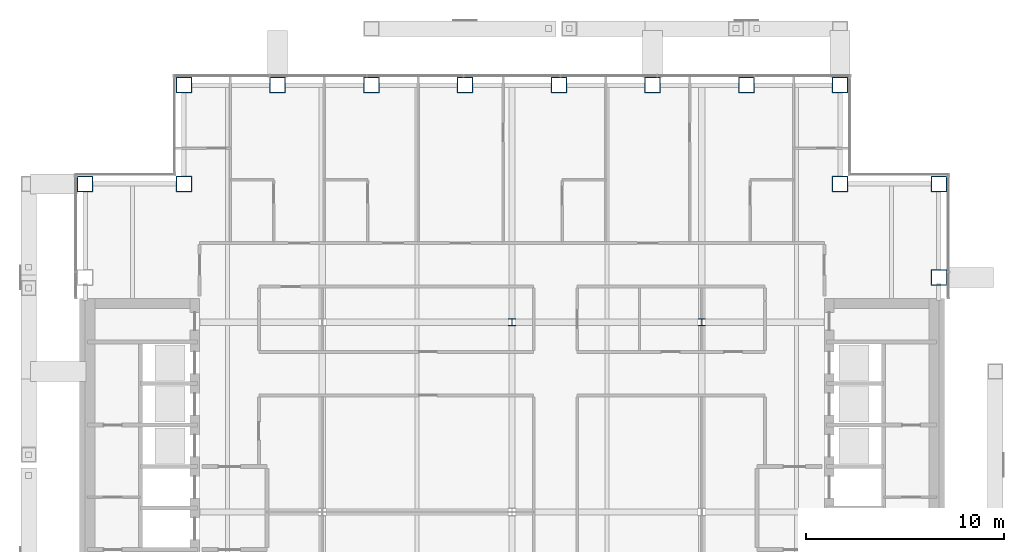
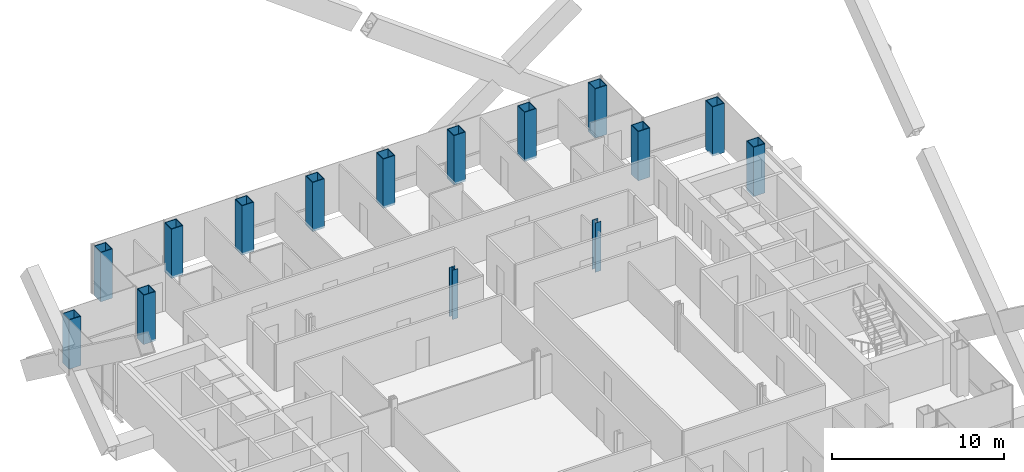
# One storey, part 2 of 18: 15 columns.
"""IFC4 building model written with IfcOpenShell, lengths in metres."""

from ifc_helpers import new_model, si_unit, direction, frame, origin, origin_2d, place, context, subcontext, project, spatial, hollow_rectangle, i_section, extrude, material, material_profile, profile_set, type_object, element, save


model = new_model("IFC4")

# Units and contexts
model_context = context("Model", 3, precision=1e-05, world=origin(), true_north=direction((0.0, 1.0)))
body_context = subcontext(model_context, "Body", "Model", "MODEL_VIEW")
ifc_project = project(units=[si_unit("LENGTHUNIT", "METRE"), si_unit("AREAUNIT", "SQUARE_METRE"), si_unit("VOLUMEUNIT", "CUBIC_METRE"), si_unit("PLANEANGLEUNIT", "RADIAN"), si_unit("MASSUNIT", "GRAM", prefix="KILO")], contexts=[model_context])

# Site, building, storey
site_placement = place(None, origin())
site = spatial("IfcSite", under=ifc_project, at=site_placement, CompositionType="ELEMENT")
building_placement = place(site_placement, origin())
building = spatial("IfcBuilding", under=site, at=building_placement, Name="Cobrizo Arcos Hotel Tower", CompositionType="ELEMENT")
storey_placement = place(building_placement, frame((0.0, 0.0, 165.5)))
storey = spatial("IfcBuildingStorey", under=building, at=storey_placement, Name="L42", CompositionType="ELEMENT", Elevation=165.5)

# Columns
ifc_material_1 = material(Name="Steel ASTM A572 Grade 50", Category="steel")
ifc_material_profile_1 = material_profile(ifc_material_1, hollow_rectangle(XDim=0.800048828125, YDim=0.800048828125, WallThickness=0.044921875, at=origin_2d()), Name="BOX 800X800X45")
ifc_profile_set_1 = profile_set([ifc_material_profile_1], Name="Steel ASTM A572 Grade 50")
column_type_1 = type_object("IfcColumnType", Name="BOX 800X800X45 column", PredefinedType="COLUMN", material=ifc_profile_set_1)
for number, where, z_axis, x_axis, name in (
    (1, (-16.60009765625, 21.60009765625, -0.14990234375), (0.0, 0.0, 1.0), (1.0, 0.0, 0.0), "Perimeter column C8, L42, no. 00"),
    (2, (-11.85693359375, 21.60009765625, -0.14990234375), (0.0, 0.0, 1.0), (1.0, 0.0, 0.0), "Perimeter column C8, L42, no. 02"),
    (3, (-7.114013671875, 21.60009765625, -0.14990234375), (0.0, 0.0, 1.0), (1.0, 0.0, 0.0), "Perimeter column C8, L42, no. 04"),
    (4, (-2.37109375, 21.60009765625, -0.14990234375), (0.0, 0.0, 1.0), (1.0, 0.0, 0.0), "Perimeter column C8, L42, no. 06"),
    (5, (2.37109375, 21.60009765625, -0.14990234375), (0.0, 0.0, 1.0), (1.0, 0.0, 0.0), "Perimeter column C8, L42, no. 08"),
    (6, (7.114013671875, 21.60009765625, -0.14990234375), (0.0, 0.0, 1.0), (1.0, 0.0, 0.0), "Perimeter column C8, L42, no. 10"),
    (7, (11.85693359375, 21.60009765625, -0.14990234375), (0.0, 0.0, 1.0), (1.0, 0.0, 0.0), "Perimeter column C8, L42, no. 12"),
    (8, (16.60009765625, 21.60009765625, -0.14990234375), (0.0, 0.0, 1.0), (1.0, 0.0, 0.0), "Perimeter column C8, L42, no. 14"),
    (9, (21.60009765625, 11.85693359375, -0.14990234375), (0.0, 0.0, 1.0), (1.0, 0.0, 0.0), "Perimeter column C8, L42, no. 20"),
    (10, (21.60009765625, 16.60009765625, -0.14990234375), (0.0, 0.0, 1.0), (1.0, 0.0, 0.0), "Perimeter column C8, L42, no. 22"),
    (11, (-21.60009765625, 16.60009765625, -0.14990234375), (0.0, 0.0, 1.0), (1.0, 0.0, 0.0), "Perimeter column C8, L42, no. 23"),
    (12, (-16.60009765625, 16.60009765625, -0.14990234375), (0.0, 0.0, 1.0), (1.0, 0.0, 0.0), "Perimeter column C8, L42, no. 25"),
    (13, (16.60009765625, 16.60009765625, -0.14990234375), (0.0, 0.0, 1.0), (1.0, 0.0, 0.0), "Perimeter column C8, L42, no. 27"),
):
    element("IfcColumn", number, at=place(storey_placement, frame(where, z_axis=z_axis, x_axis=x_axis)), inside=storey, type_object=column_type_1, Name=name, PredefinedType="COLUMN", context=body_context, shape_type="SweptSolid", body=[
        extrude(hollow_rectangle(XDim=0.800048828125, YDim=0.800048828125, WallThickness=0.044921875, at=origin_2d()), origin(), (0.0, 0.0, 1.0), 3.5),
    ])
ifc_material_2 = material(Name="Steel ASTM A992 Grade 50", Category="steel")
ifc_material_profile_2 = material_profile(ifc_material_2, i_section(OverallWidth=0.373291015625, OverallDepth=0.373291015625, WebThickness=0.016357421875, FlangeThickness=0.026123046875, at=origin_2d()), Name="W14X132")
ifc_profile_set_2 = profile_set([ifc_material_profile_2], Name="Steel ASTM A992 Grade 50")
column_type_2 = type_object("IfcColumnType", Name="W14X132 interior column", PredefinedType="COLUMN", material=ifc_profile_set_2)
for number, where, z_axis, x_axis, name in (
    (14, (0.0, 9.60009765625, -0.14990234375), (0.0, 0.0, 1.0), (1.0, 0.0, 0.0), "Interior column C9, L42, no. 05"),
    (15, (9.60009765625, 9.60009765625, -0.14990234375), (0.0, 0.0, 1.0), (1.0, 0.0, 0.0), "Interior column C9, L42, no. 08"),
):
    element("IfcColumn", number, at=place(storey_placement, frame(where, z_axis=z_axis, x_axis=x_axis)), inside=storey, type_object=column_type_2, Name=name, PredefinedType="COLUMN", context=body_context, shape_type="SweptSolid", body=[
        extrude(i_section(OverallWidth=0.373291015625, OverallDepth=0.373291015625, WebThickness=0.016357421875, FlangeThickness=0.026123046875, at=origin_2d()), origin(), (0.0, 0.0, 1.0), 3.5),
    ])

save(model, "model.ifc")
